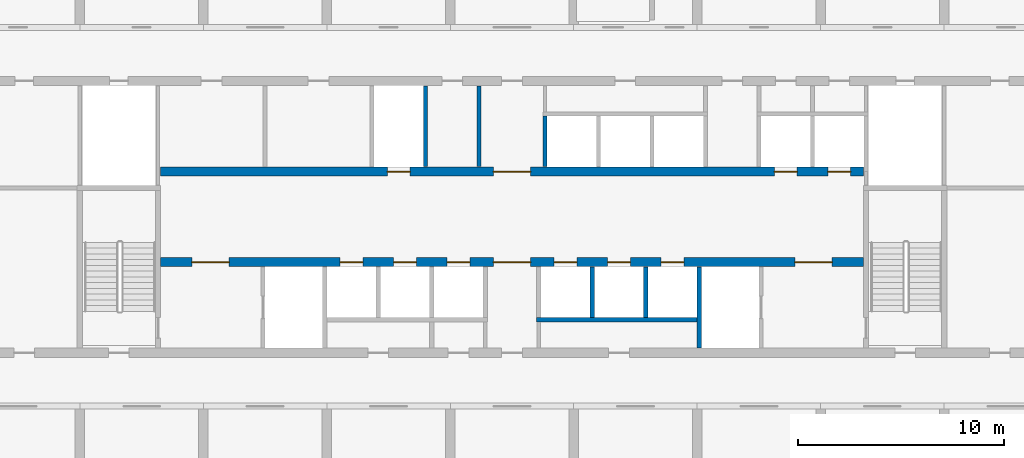
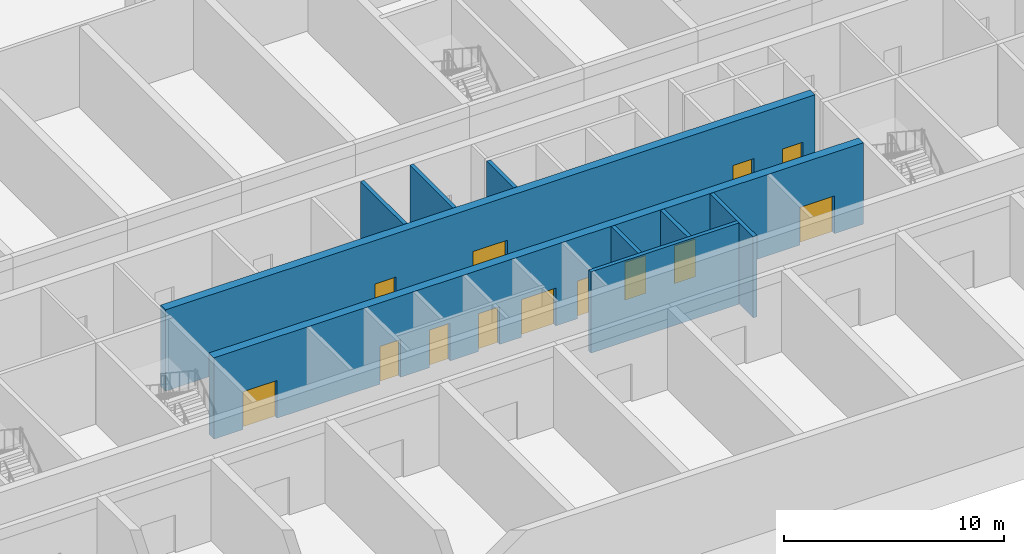
# One storey, part 9 of 20: 13 doors, 9 walls, 13 openings.
"""IFC4 building model written with IfcOpenShell, lengths in metres."""

from ifc_helpers import new_model, si_unit, direction, frame, frame_2d, origin, place, context, subcontext, project, spatial, rectangle, extrude, material, layer, layer_set, type_object, element, fill, save


model = new_model("IFC4")

# Units and contexts
model_context = context("Model", 3, precision=1e-05, world=origin(), true_north=direction((0.0, 1.0)))
body_context = subcontext(model_context, "Body", "Model", "MODEL_VIEW")
ifc_project = project(units=[si_unit("LENGTHUNIT", "METRE"), si_unit("AREAUNIT", "SQUARE_METRE"), si_unit("VOLUMEUNIT", "CUBIC_METRE"), si_unit("PLANEANGLEUNIT", "RADIAN"), si_unit("MASSUNIT", "GRAM", prefix="KILO")], contexts=[model_context])

# Site, building, storey
site_placement = place(None, origin())
site = spatial("IfcSite", under=ifc_project, at=site_placement, CompositionType="ELEMENT")
building_placement = place(site_placement, origin())
building = spatial("IfcBuilding", under=site, at=building_placement, Name="Poui Terraces", CompositionType="ELEMENT")
storey_placement = place(building_placement, frame((0.0, 0.0, 6.0)))
storey = spatial("IfcBuildingStorey", under=building, at=storey_placement, Name="L01", CompositionType="ELEMENT", Elevation=6.0)

# Wall, openings, doors
ifc_material_1 = material(Name="Concrete 80 MPa", Category="concrete")
ifc_layer_1 = layer(ifc_material_1, 0.449951171875)
ifc_layer_set_1 = layer_set([ifc_layer_1], Name="Concrete 80 MPa")
wall_type_1 = type_object("IfcWallType", Name="CORE WALL 450 80 MPA", PredefinedType="SOLIDWALL", material=ifc_layer_set_1)
wall_1_placement = place(storey_placement, frame((33.925048828125, 19.0, 0.0), z_axis=(0.0, 0.0, 1.0), x_axis=(1.0, 0.0, 0.0)))
wall_1 = element("IfcWall", 1, at=wall_1_placement, inside=storey, type_object=wall_type_1, Name="CORE WALL", PredefinedType="SOLIDWALL", context=body_context, shape_type="SweptSolid", body=[
    extrude(rectangle(XDim=34.14990234375, YDim=0.449951171875, at=frame_2d((17.074951171875, 0.0))), origin(), (0.0, 0.0, 1.0), 4.52001953125),
])
opening_1_placement = place(wall_1_placement, frame((16.175048828125, 0.0, 0.0)))
opening_1 = element("IfcOpeningElement", 2, at=opening_1_placement, cuts=wall_1, Name="Opening FDD60", PredefinedType="OPENING", context=body_context, shape_type="SweptSolid", body=[
    extrude(rectangle(XDim=1.800048828125, YDim=2.10009765625, at=frame_2d((0.89990234375, 1.050048828125))), frame((0.0, 0.23486328125, 0.0), z_axis=(0.0, -1.0, 0.0), x_axis=(1.0, 0.0, 0.0)), (0.0, 0.0, 1.0), 0.469970703125),
])
opening_2_placement = place(wall_1_placement, frame((1.52490234375, 0.0, 0.0)))
opening_2 = element("IfcOpeningElement", 3, at=opening_2_placement, cuts=wall_1, Name="Opening FDD60", PredefinedType="OPENING", context=body_context, shape_type="SweptSolid", body=[
    extrude(rectangle(XDim=1.800048828125, YDim=2.10009765625, at=frame_2d((0.89990234375, 1.050048828125))), frame((0.0, 0.23486328125, 0.0), z_axis=(0.0, -1.0, 0.0), x_axis=(1.0, 0.0, 0.0)), (0.0, 0.0, 1.0), 0.469970703125),
])
opening_3_placement = place(wall_1_placement, frame((8.72509765625, 0.0, 0.0)))
opening_3 = element("IfcOpeningElement", 4, at=opening_3_placement, cuts=wall_1, Name="Opening LD", PredefinedType="OPENING", context=body_context, shape_type="SweptSolid", body=[
    extrude(rectangle(XDim=1.10009765625, YDim=2.10009765625, at=frame_2d((0.550048828125, 1.050048828125))), frame((0.0, 0.23486328125, 0.0), z_axis=(0.0, -1.0, 0.0), x_axis=(1.0, 0.0, 0.0)), (0.0, 0.0, 1.0), 0.469970703125),
])
opening_4_placement = place(wall_1_placement, frame((11.324951171875, 0.0, 0.0)))
opening_4 = element("IfcOpeningElement", 5, at=opening_4_placement, cuts=wall_1, Name="Opening LD", PredefinedType="OPENING", context=body_context, shape_type="SweptSolid", body=[
    extrude(rectangle(XDim=1.10009765625, YDim=2.10009765625, at=frame_2d((0.550048828125, 1.050048828125))), frame((0.0, 0.23486328125, 0.0), z_axis=(0.0, -1.0, 0.0), x_axis=(1.0, 0.0, 0.0)), (0.0, 0.0, 1.0), 0.469970703125),
])
opening_5_placement = place(wall_1_placement, frame((13.925048828125, 0.0, 0.0)))
opening_5 = element("IfcOpeningElement", 6, at=opening_5_placement, cuts=wall_1, Name="Opening LD", PredefinedType="OPENING", context=body_context, shape_type="SweptSolid", body=[
    extrude(rectangle(XDim=1.10009765625, YDim=2.10009765625, at=frame_2d((0.550048828125, 1.050048828125))), frame((0.0, 0.23486328125, 0.0), z_axis=(0.0, -1.0, 0.0), x_axis=(1.0, 0.0, 0.0)), (0.0, 0.0, 1.0), 0.469970703125),
])
opening_6_placement = place(wall_1_placement, frame((19.125, 0.0, 0.0)))
opening_6 = element("IfcOpeningElement", 7, at=opening_6_placement, cuts=wall_1, Name="Opening LD", PredefinedType="OPENING", context=body_context, shape_type="SweptSolid", body=[
    extrude(rectangle(XDim=1.10009765625, YDim=2.10009765625, at=frame_2d((0.550048828125, 1.050048828125))), frame((0.0, 0.23486328125, 0.0), z_axis=(0.0, -1.0, 0.0), x_axis=(1.0, 0.0, 0.0)), (0.0, 0.0, 1.0), 0.469970703125),
])
opening_7_placement = place(wall_1_placement, frame((21.72509765625, 0.0, 0.0)))
opening_7 = element("IfcOpeningElement", 8, at=opening_7_placement, cuts=wall_1, Name="Opening LD", PredefinedType="OPENING", context=body_context, shape_type="SweptSolid", body=[
    extrude(rectangle(XDim=1.10009765625, YDim=2.10009765625, at=frame_2d((0.550048828125, 1.050048828125))), frame((0.0, 0.23486328125, 0.0), z_axis=(0.0, -1.0, 0.0), x_axis=(1.0, 0.0, 0.0)), (0.0, 0.0, 1.0), 0.469970703125),
])
opening_8_placement = place(wall_1_placement, frame((24.324951171875, 0.0, 0.0)))
opening_8 = element("IfcOpeningElement", 9, at=opening_8_placement, cuts=wall_1, Name="Opening LD", PredefinedType="OPENING", context=body_context, shape_type="SweptSolid", body=[
    extrude(rectangle(XDim=1.10009765625, YDim=2.10009765625, at=frame_2d((0.550048828125, 1.050048828125))), frame((0.0, 0.23486328125, 0.0), z_axis=(0.0, -1.0, 0.0), x_axis=(1.0, 0.0, 0.0)), (0.0, 0.0, 1.0), 0.469970703125),
])
opening_9_placement = place(wall_1_placement, frame((30.824951171875, 0.0, 0.0)))
opening_9 = element("IfcOpeningElement", 10, at=opening_9_placement, cuts=wall_1, Name="Opening FDD60", PredefinedType="OPENING", context=body_context, shape_type="SweptSolid", body=[
    extrude(rectangle(XDim=1.800048828125, YDim=2.10009765625, at=frame_2d((0.89990234375, 1.050048828125))), frame((0.0, 0.23486328125, 0.0), z_axis=(0.0, -1.0, 0.0), x_axis=(1.0, 0.0, 0.0)), (0.0, 0.0, 1.0), 0.469970703125),
])
ifc_material_2 = material(Name="Steel fire door", Category="steel")
door_type_1 = type_object("IfcDoorType", Name="DOUBLE LOBBY FIRE DOOR 1800 X 2100", OperationType="DOUBLE_DOOR_SINGLE_SWING", PredefinedType="DOOR", material=ifc_material_2)
door_1_placement = place(opening_1_placement, frame((1.800048828125, 0.0, 0.0), z_axis=(0.0, 0.0, 1.0), x_axis=(-1.0, 0.0, 0.0)))
door_1 = element("IfcDoor", 11, at=door_1_placement, inside=storey, type_object=door_type_1, Name="DOUBLE LOBBY FIRE DOOR 087", OperationType="DOUBLE_DOOR_SINGLE_SWING", OverallHeight=2.10009765625, OverallWidth=1.800048828125, PredefinedType="DOOR", context=body_context, shape_type="SweptSolid", body=[
    extrude(rectangle(XDim=1.800048828125, YDim=2.10009765625, at=frame_2d((0.89990234375, 1.050048828125))), frame((0.0, 0.02490234375, 0.0), z_axis=(0.0, -1.0, 0.0), x_axis=(1.0, 0.0, 0.0)), (0.0, 0.0, 1.0), 0.050048828125),
])
fill(opening_1, door_1)
door_2_placement = place(opening_2_placement, origin())
door_2 = element("IfcDoor", 12, at=door_2_placement, inside=storey, type_object=door_type_1, Name="DOUBLE LOBBY FIRE DOOR 088", OperationType="DOUBLE_DOOR_SINGLE_SWING", OverallHeight=2.10009765625, OverallWidth=1.800048828125, PredefinedType="DOOR", context=body_context, shape_type="SweptSolid", body=[
    extrude(rectangle(XDim=1.800048828125, YDim=2.10009765625, at=frame_2d((0.89990234375, 1.050048828125))), frame((0.0, 0.02490234375, 0.0), z_axis=(0.0, -1.0, 0.0), x_axis=(1.0, 0.0, 0.0)), (0.0, 0.0, 1.0), 0.050048828125),
])
fill(opening_2, door_2)
door_3_placement = place(opening_9_placement, origin())
door_3 = element("IfcDoor", 13, at=door_3_placement, inside=storey, type_object=door_type_1, Name="DOUBLE LOBBY FIRE DOOR 097", OperationType="DOUBLE_DOOR_SINGLE_SWING", OverallHeight=2.10009765625, OverallWidth=1.800048828125, PredefinedType="DOOR", context=body_context, shape_type="SweptSolid", body=[
    extrude(rectangle(XDim=1.800048828125, YDim=2.10009765625, at=frame_2d((0.89990234375, 1.050048828125))), frame((0.0, 0.02490234375, 0.0), z_axis=(0.0, -1.0, 0.0), x_axis=(1.0, 0.0, 0.0)), (0.0, 0.0, 1.0), 0.050048828125),
])
fill(opening_9, door_3)
ifc_material_3 = material(Name="Stainless steel sliding door", Category="steel")
door_type_2 = type_object("IfcDoorType", Name="LIFT LANDING DOOR 1100 X 2100", OperationType="DOUBLE_DOOR_SLIDING", PredefinedType="DOOR", material=ifc_material_3)
door_4_placement = place(opening_3_placement, origin())
door_4 = element("IfcDoor", 14, at=door_4_placement, inside=storey, type_object=door_type_2, Name="LANDING DOOR", OperationType="DOUBLE_DOOR_SLIDING", OverallHeight=2.10009765625, OverallWidth=1.10009765625, PredefinedType="DOOR", context=body_context, shape_type="SweptSolid", body=[
    extrude(rectangle(XDim=1.10009765625, YDim=2.10009765625, at=frame_2d((0.550048828125, 1.050048828125))), frame((0.0, 0.02490234375, 0.0), z_axis=(0.0, -1.0, 0.0), x_axis=(1.0, 0.0, 0.0)), (0.0, 0.0, 1.0), 0.050048828125),
])
fill(opening_3, door_4)
door_5_placement = place(opening_4_placement, origin())
door_5 = element("IfcDoor", 15, at=door_5_placement, inside=storey, type_object=door_type_2, Name="LANDING DOOR", OperationType="DOUBLE_DOOR_SLIDING", OverallHeight=2.10009765625, OverallWidth=1.10009765625, PredefinedType="DOOR", context=body_context, shape_type="SweptSolid", body=[
    extrude(rectangle(XDim=1.10009765625, YDim=2.10009765625, at=frame_2d((0.550048828125, 1.050048828125))), frame((0.0, 0.02490234375, 0.0), z_axis=(0.0, -1.0, 0.0), x_axis=(1.0, 0.0, 0.0)), (0.0, 0.0, 1.0), 0.050048828125),
])
fill(opening_4, door_5)
door_6_placement = place(opening_5_placement, origin())
door_6 = element("IfcDoor", 16, at=door_6_placement, inside=storey, type_object=door_type_2, Name="LANDING DOOR", OperationType="DOUBLE_DOOR_SLIDING", OverallHeight=2.10009765625, OverallWidth=1.10009765625, PredefinedType="DOOR", context=body_context, shape_type="SweptSolid", body=[
    extrude(rectangle(XDim=1.10009765625, YDim=2.10009765625, at=frame_2d((0.550048828125, 1.050048828125))), frame((0.0, 0.02490234375, 0.0), z_axis=(0.0, -1.0, 0.0), x_axis=(1.0, 0.0, 0.0)), (0.0, 0.0, 1.0), 0.050048828125),
])
fill(opening_5, door_6)
door_7_placement = place(opening_6_placement, origin())
door_7 = element("IfcDoor", 17, at=door_7_placement, inside=storey, type_object=door_type_2, Name="LANDING DOOR", OperationType="DOUBLE_DOOR_SLIDING", OverallHeight=2.10009765625, OverallWidth=1.10009765625, PredefinedType="DOOR", context=body_context, shape_type="SweptSolid", body=[
    extrude(rectangle(XDim=1.10009765625, YDim=2.10009765625, at=frame_2d((0.550048828125, 1.050048828125))), frame((0.0, 0.02490234375, 0.0), z_axis=(0.0, -1.0, 0.0), x_axis=(1.0, 0.0, 0.0)), (0.0, 0.0, 1.0), 0.050048828125),
])
fill(opening_6, door_7)
door_8_placement = place(opening_7_placement, origin())
door_8 = element("IfcDoor", 18, at=door_8_placement, inside=storey, type_object=door_type_2, Name="LANDING DOOR", OperationType="DOUBLE_DOOR_SLIDING", OverallHeight=2.10009765625, OverallWidth=1.10009765625, PredefinedType="DOOR", context=body_context, shape_type="SweptSolid", body=[
    extrude(rectangle(XDim=1.10009765625, YDim=2.10009765625, at=frame_2d((0.550048828125, 1.050048828125))), frame((0.0, 0.02490234375, 0.0), z_axis=(0.0, -1.0, 0.0), x_axis=(1.0, 0.0, 0.0)), (0.0, 0.0, 1.0), 0.050048828125),
])
fill(opening_7, door_8)
door_9_placement = place(opening_8_placement, origin())
door_9 = element("IfcDoor", 19, at=door_9_placement, inside=storey, type_object=door_type_2, Name="LANDING DOOR", OperationType="DOUBLE_DOOR_SLIDING", OverallHeight=2.10009765625, OverallWidth=1.10009765625, PredefinedType="DOOR", context=body_context, shape_type="SweptSolid", body=[
    extrude(rectangle(XDim=1.10009765625, YDim=2.10009765625, at=frame_2d((0.550048828125, 1.050048828125))), frame((0.0, 0.02490234375, 0.0), z_axis=(0.0, -1.0, 0.0), x_axis=(1.0, 0.0, 0.0)), (0.0, 0.0, 1.0), 0.050048828125),
])
fill(opening_8, door_9)

wall_2_placement = place(storey_placement, frame((33.925048828125, 23.39990234375, 0.0), z_axis=(0.0, 0.0, 1.0), x_axis=(1.0, 0.0, 0.0)))
wall_2 = element("IfcWall", 20, at=wall_2_placement, inside=storey, type_object=wall_type_1, Name="CORE WALL", PredefinedType="SOLIDWALL", context=body_context, shape_type="SweptSolid", body=[
    extrude(rectangle(XDim=34.14990234375, YDim=0.449951171875, at=frame_2d((17.074951171875, 0.0))), origin(), (0.0, 0.0, 1.0), 4.52001953125),
])
opening_10_placement = place(wall_2_placement, frame((16.175048828125, 0.0, 0.0)))
opening_10 = element("IfcOpeningElement", 21, at=opening_10_placement, cuts=wall_2, Name="Opening FDD60", PredefinedType="OPENING", context=body_context, shape_type="SweptSolid", body=[
    extrude(rectangle(XDim=1.800048828125, YDim=2.10009765625, at=frame_2d((0.89990234375, 1.050048828125))), frame((0.0, 0.23486328125, 0.0), z_axis=(0.0, -1.0, 0.0), x_axis=(1.0, 0.0, 0.0)), (0.0, 0.0, 1.0), 0.469970703125),
])
opening_11_placement = place(wall_2_placement, frame((11.02490234375, 0.0, 0.0)))
opening_11 = element("IfcOpeningElement", 22, at=opening_11_placement, cuts=wall_2, Name="Opening LD", PredefinedType="OPENING", context=body_context, shape_type="SweptSolid", body=[
    extrude(rectangle(XDim=1.10009765625, YDim=2.10009765625, at=frame_2d((0.550048828125, 1.050048828125))), frame((0.0, 0.23486328125, 0.0), z_axis=(0.0, -1.0, 0.0), x_axis=(1.0, 0.0, 0.0)), (0.0, 0.0, 1.0), 0.469970703125),
])
opening_12_placement = place(wall_2_placement, frame((29.824951171875, 0.0, 0.0)))
opening_12 = element("IfcOpeningElement", 23, at=opening_12_placement, cuts=wall_2, Name="Opening LD", PredefinedType="OPENING", context=body_context, shape_type="SweptSolid", body=[
    extrude(rectangle(XDim=1.10009765625, YDim=2.10009765625, at=frame_2d((0.550048828125, 1.050048828125))), frame((0.0, 0.23486328125, 0.0), z_axis=(0.0, -1.0, 0.0), x_axis=(1.0, 0.0, 0.0)), (0.0, 0.0, 1.0), 0.469970703125),
])
opening_13_placement = place(wall_2_placement, frame((32.425048828125, 0.0, 0.0)))
opening_13 = element("IfcOpeningElement", 24, at=opening_13_placement, cuts=wall_2, Name="Opening LD", PredefinedType="OPENING", context=body_context, shape_type="SweptSolid", body=[
    extrude(rectangle(XDim=1.10009765625, YDim=2.10009765625, at=frame_2d((0.550048828125, 1.050048828125))), frame((0.0, 0.23486328125, 0.0), z_axis=(0.0, -1.0, 0.0), x_axis=(1.0, 0.0, 0.0)), (0.0, 0.0, 1.0), 0.469970703125),
])
door_10_placement = place(opening_10_placement, origin())
door_10 = element("IfcDoor", 25, at=door_10_placement, inside=storey, type_object=door_type_1, Name="DOUBLE LOBBY FIRE DOOR 086", OperationType="DOUBLE_DOOR_SINGLE_SWING", OverallHeight=2.10009765625, OverallWidth=1.800048828125, PredefinedType="DOOR", context=body_context, shape_type="SweptSolid", body=[
    extrude(rectangle(XDim=1.800048828125, YDim=2.10009765625, at=frame_2d((0.89990234375, 1.050048828125))), frame((0.0, 0.02490234375, 0.0), z_axis=(0.0, -1.0, 0.0), x_axis=(1.0, 0.0, 0.0)), (0.0, 0.0, 1.0), 0.050048828125),
])
fill(opening_10, door_10)
door_11_placement = place(opening_11_placement, origin())
door_11 = element("IfcDoor", 26, at=door_11_placement, inside=storey, type_object=door_type_2, Name="LANDING DOOR", OperationType="DOUBLE_DOOR_SLIDING", OverallHeight=2.10009765625, OverallWidth=1.10009765625, PredefinedType="DOOR", context=body_context, shape_type="SweptSolid", body=[
    extrude(rectangle(XDim=1.10009765625, YDim=2.10009765625, at=frame_2d((0.550048828125, 1.050048828125))), frame((0.0, 0.02490234375, 0.0), z_axis=(0.0, -1.0, 0.0), x_axis=(1.0, 0.0, 0.0)), (0.0, 0.0, 1.0), 0.050048828125),
])
fill(opening_11, door_11)
door_12_placement = place(opening_12_placement, origin())
door_12 = element("IfcDoor", 27, at=door_12_placement, inside=storey, type_object=door_type_2, Name="LANDING DOOR", OperationType="DOUBLE_DOOR_SLIDING", OverallHeight=2.10009765625, OverallWidth=1.10009765625, PredefinedType="DOOR", context=body_context, shape_type="SweptSolid", body=[
    extrude(rectangle(XDim=1.10009765625, YDim=2.10009765625, at=frame_2d((0.550048828125, 1.050048828125))), frame((0.0, 0.02490234375, 0.0), z_axis=(0.0, -1.0, 0.0), x_axis=(1.0, 0.0, 0.0)), (0.0, 0.0, 1.0), 0.050048828125),
])
fill(opening_12, door_12)
door_13_placement = place(opening_13_placement, origin())
door_13 = element("IfcDoor", 28, at=door_13_placement, inside=storey, type_object=door_type_2, Name="LANDING DOOR", OperationType="DOUBLE_DOOR_SLIDING", OverallHeight=2.10009765625, OverallWidth=1.10009765625, PredefinedType="DOOR", context=body_context, shape_type="SweptSolid", body=[
    extrude(rectangle(XDim=1.10009765625, YDim=2.10009765625, at=frame_2d((0.550048828125, 1.050048828125))), frame((0.0, 0.02490234375, 0.0), z_axis=(0.0, -1.0, 0.0), x_axis=(1.0, 0.0, 0.0)), (0.0, 0.0, 1.0), 0.050048828125),
])
fill(opening_13, door_13)

# Walls
ifc_material_4 = material(Name="Fire-rated masonry wall", Category="masonry")
ifc_layer_2 = layer(ifc_material_4, 0.199951171875)
ifc_layer_set_2 = layer_set([ifc_layer_2], Name="Fire-rated masonry wall")
wall_type_2 = type_object("IfcWallType", Name="PLANT ROOM WALL 200", PredefinedType="PARTITIONING", material=ifc_layer_set_2)
wall_3_placement = place(storey_placement, frame((49.39990234375, 23.635009765625, 0.0), z_axis=(0.0, 0.0, 1.0), x_axis=(0.0, 1.0, 0.0)))
element("IfcWall", 29, at=wall_3_placement, inside=storey, type_object=wall_type_2, Name="PLANT ROOM WALL 200", PredefinedType="PARTITIONING", context=body_context, shape_type="SweptSolid", body=[
    extrude(rectangle(XDim=3.929931640625, YDim=0.199951171875, at=frame_2d((1.96484375, 0.0))), origin(), (0.0, 0.0, 1.0), 4.52001953125),
])
ifc_material_5 = material(Name="Fire-rated masonry shaft wall", Category="masonry")
ifc_layer_3 = layer(ifc_material_5, 0.199951171875)
ifc_layer_set_3 = layer_set([ifc_layer_3], Name="Fire-rated masonry shaft wall")
wall_type_3 = type_object("IfcWallType", Name="SHAFT WALL 200", PredefinedType="PARTITIONING", material=ifc_layer_set_3)
wall_4_placement = place(storey_placement, frame((52.199951171875, 16.199951171875, 0.0), z_axis=(0.0, 0.0, 1.0), x_axis=(1.0, 0.0, 0.0)))
element("IfcWall", 30, at=wall_4_placement, inside=storey, type_object=wall_type_3, Name="SHAFT WALL 200", PredefinedType="PARTITIONING", context=body_context, shape_type="SweptSolid", body=[
    extrude(rectangle(XDim=7.800048828125, YDim=0.199951171875, at=frame_2d((3.89990234375, 0.0))), origin(), (0.0, 0.0, 1.0), 4.52001953125),
])
wall_5_placement = place(storey_placement, frame((46.800048828125, 23.635009765625, 0.0), z_axis=(0.0, 0.0, 1.0), x_axis=(0.0, 1.0, 0.0)))
element("IfcWall", 31, at=wall_5_placement, inside=storey, type_object=wall_type_3, Name="SHAFT WALL 200", PredefinedType="PARTITIONING", context=body_context, shape_type="SweptSolid", body=[
    extrude(rectangle(XDim=3.929931640625, YDim=0.199951171875, at=frame_2d((1.96484375, 0.0))), origin(), (0.0, 0.0, 1.0), 4.52001953125),
])
wall_6_placement = place(storey_placement, frame((52.60009765625, 23.635009765625, 0.0), z_axis=(0.0, 0.0, 1.0), x_axis=(0.0, 1.0, 0.0)))
element("IfcWall", 32, at=wall_6_placement, inside=storey, type_object=wall_type_3, Name="SHAFT WALL 200", PredefinedType="PARTITIONING", context=body_context, shape_type="SweptSolid", body=[
    extrude(rectangle(XDim=2.465087890625, YDim=0.199951171875, at=frame_2d((1.232421875, 0.0))), origin(), (0.0, 0.0, 1.0), 4.52001953125),
])
for number, where, z_axis, x_axis, name in (
    (33, (54.89990234375, 16.300048828125, 0.0), (0.0, 0.0, 1.0), (0.0, 1.0, 0.0), "SHAFT WALL 200"),
    (34, (57.5, 16.300048828125, 0.0), (0.0, 0.0, 1.0), (0.0, 1.0, 0.0), "SHAFT WALL 200"),
):
    element("IfcWall", number, at=place(storey_placement, frame(where, z_axis=z_axis, x_axis=x_axis)), inside=storey, type_object=wall_type_3, Name=name, PredefinedType="PARTITIONING", context=body_context, shape_type="SweptSolid", body=[
        extrude(rectangle(XDim=2.46484375, YDim=0.199951171875, at=frame_2d((1.232421875, 0.0))), origin(), (0.0, 0.0, 1.0), 4.52001953125),
    ])
wall_7_placement = place(storey_placement, frame((60.10009765625, 14.8349609375, 0.0), z_axis=(0.0, 0.0, 1.0), x_axis=(0.0, 1.0, 0.0)))
element("IfcWall", 35, at=wall_7_placement, inside=storey, type_object=wall_type_3, Name="SHAFT WALL 200", PredefinedType="PARTITIONING", context=body_context, shape_type="SweptSolid", body=[
    extrude(rectangle(XDim=3.929931640625, YDim=0.199951171875, at=frame_2d((1.96484375, 0.0))), origin(), (0.0, 0.0, 1.0), 4.52001953125),
])

save(model, "model.ifc")
